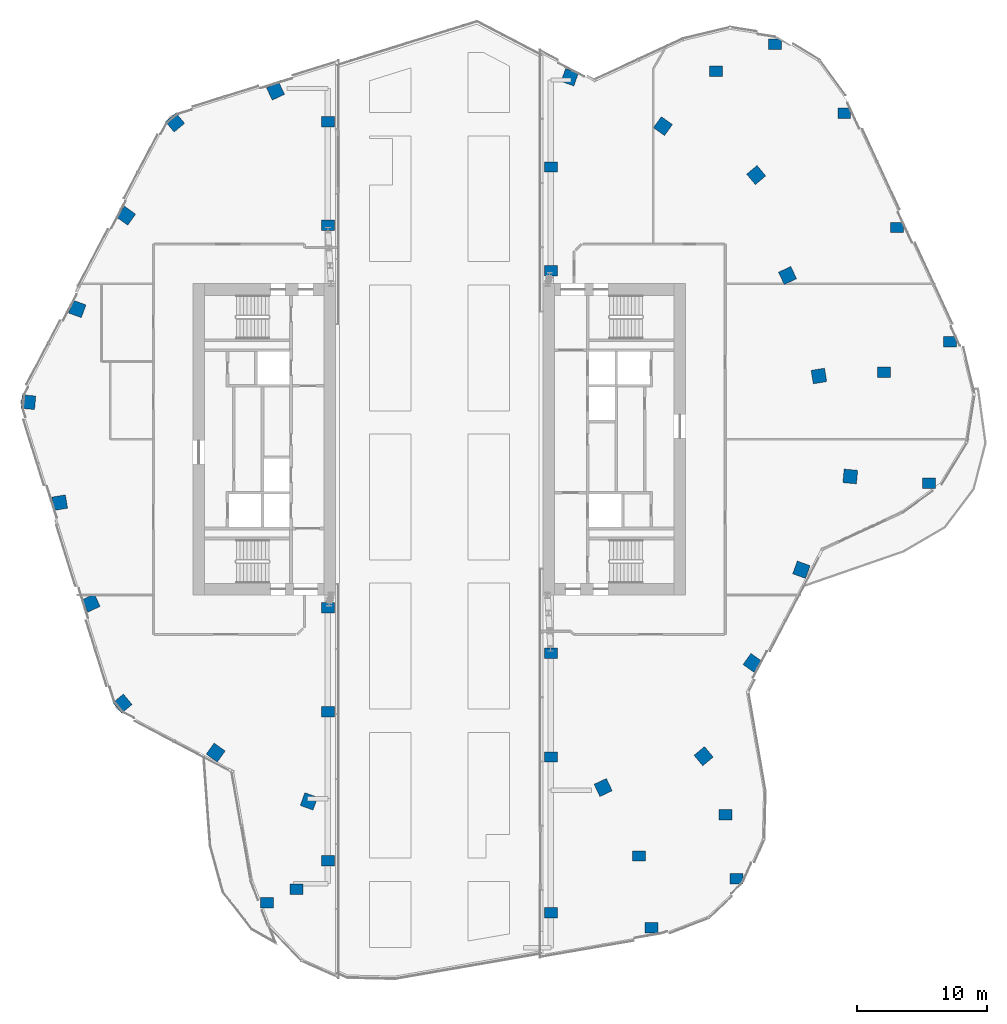
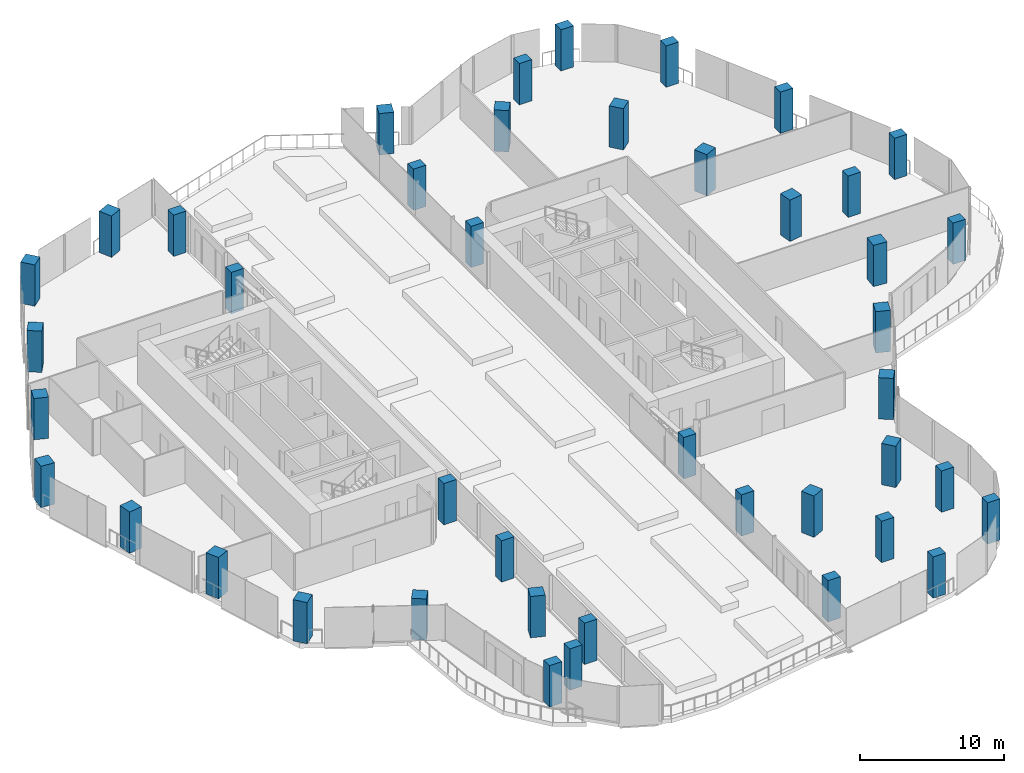
# One storey, part 1 of 26: 43 columns.
"""IFC4 building model written with IfcOpenShell, lengths in metres."""

from ifc_helpers import new_model, si_unit, direction, frame, origin, origin_2d, place, context, subcontext, project, spatial, rectangle, extrude, material, material_profile, profile_set, type_object, element, save


model = new_model("IFC4")

# Units and contexts
model_context = context("Model", 3, precision=1e-05, world=origin(), true_north=direction((0.0, 1.0)))
body_context = subcontext(model_context, "Body", "Model", "MODEL_VIEW")
ifc_project = project(units=[si_unit("LENGTHUNIT", "METRE"), si_unit("AREAUNIT", "SQUARE_METRE"), si_unit("VOLUMEUNIT", "CUBIC_METRE"), si_unit("PLANEANGLEUNIT", "RADIAN"), si_unit("MASSUNIT", "GRAM", prefix="KILO")], contexts=[model_context])

# Site, building, storey
site_placement = place(None, origin())
site = spatial("IfcSite", under=ifc_project, at=site_placement, CompositionType="ELEMENT")
building_placement = place(site_placement, origin())
building = spatial("IfcBuilding", under=site, at=building_placement, Name="Orlundy Tower", CompositionType="ELEMENT")
storey_placement = place(building_placement, frame((0.0, 0.0, 253.5)))
storey = spatial("IfcBuildingStorey", under=building, at=storey_placement, Name="L67", CompositionType="ELEMENT", Elevation=253.5)

# Columns
ifc_material_1 = material(Name="Concrete C60/75", Category="concrete")
ifc_material_profile_1 = material_profile(ifc_material_1, rectangle(XDim=1.0, YDim=0.800048828125, at=origin_2d()), Name="RC1000X800")
ifc_profile_set_1 = profile_set([ifc_material_profile_1], Name="Concrete C60/75")
column_type_1 = type_object("IfcColumnType", Name="RC COLUMN RC1000X800 C60/75", PredefinedType="COLUMN", material=ifc_profile_set_1)
for number, where, z_axis, x_axis, name in (
    (1, (37.758056640625, -3.389892578125, 0.0), (0.0, 0.0, 1.0), (1.0, 0.0, 0.0), "Column C-A1-1 L67"),
    (2, (39.376953125, 7.533935546875, 0.0), (0.0, 0.0, 1.0), (1.0, 0.0, 0.0), "Column C-A2-5 L67"),
    (3, (34.294921875, 5.181884765625, 0.0), (0.0, 0.0, 1.0), (1.0, 0.0, 0.0), "Column C-A2-6 L67"),
    (4, (35.302978515625, 16.3369140625, 0.0), (0.0, 0.0, 1.0), (1.0, 0.0, 0.0), "Column C-A3-5 L67"),
    (5, (31.22900390625, 25.139892578125, 0.0), (0.0, 0.0, 1.0), (1.0, 0.0, 0.0), "Column C-A4-5 L67"),
    (6, (25.885009765625, 30.48291015625, 0.0), (0.0, 0.0, 1.0), (1.0, 0.0, 0.0), "Column C-A5-5 L67"),
    (7, (21.346923828125, 28.383056640625, 0.0), (0.0, 0.0, 1.0), (1.0, 0.0, 0.0), "Column C-A5-6 L67"),
    (8, (-13.27392578125, -35.742919921875, 0.0), (0.0, 0.0, 1.0), (1.0, 0.0, 0.0), "Column C-B1-1 L67"),
    (9, (-11.031005859375, -34.68701171875, 0.0), (0.0, 0.0, 1.0), (1.0, 0.0, 0.0), "Column C-B1-6 L67"),
    (10, (16.3720703125, -37.656982421875, 0.0), (0.0, 0.0, 1.0), (1.0, 0.0, 0.0), "Column C-B4-5 L67"),
    (11, (15.4150390625, -32.138916015625, 0.0), (0.0, 0.0, 1.0), (1.0, 0.0, 0.0), "Column C-B4-6 L67"),
    (12, (22.916015625, -33.876953125, 0.0), (0.0, 0.0, 1.0), (1.0, 0.0, 0.0), "Column C-B5-5 L67"),
    (13, (22.06201171875, -28.950927734375, 0.0), (0.0, 0.0, 1.0), (1.0, 0.0, 0.0), "Column C-B5-6 L67"),
    (14, (8.60009765625, -36.5, 0.0), (0.0, 0.0, 1.0), (1.0, 0.0, 0.0), "Column C-SE1 L67"),
    (15, (8.60009765625, -24.5, 0.0), (0.0, 0.0, 1.0), (1.0, 0.0, 0.0), "Column C-SE2 L67"),
    (16, (8.60009765625, -16.5, 0.0), (0.0, 0.0, 1.0), (1.0, 0.0, 0.0), "Column C-SE3 L67"),
    (17, (8.60009765625, 13.0, 0.0), (0.0, 0.0, 1.0), (1.0, 0.0, 0.0), "Column C-SE4 L67"),
    (18, (8.60009765625, 21.0, 0.0), (0.0, 0.0, 1.0), (1.0, 0.0, 0.0), "Column C-SE5 L67"),
    (19, (-8.60009765625, 24.5, 0.0), (0.0, 0.0, 1.0), (1.0, 0.0, 0.0), "Column C-SW1 L67"),
    (20, (-8.60009765625, 16.5, 0.0), (0.0, 0.0, 1.0), (1.0, 0.0, 0.0), "Column C-SW2 L67"),
    (21, (-8.60009765625, -13.0, 0.0), (0.0, 0.0, 1.0), (1.0, 0.0, 0.0), "Column C-SW3 L67"),
    (22, (-8.60009765625, -21.0, 0.0), (0.0, 0.0, 1.0), (1.0, 0.0, 0.0), "Column C-SW4 L67"),
    (23, (-8.60009765625, -32.5, 0.0), (0.0, 0.0, 1.0), (1.0, 0.0, 0.0), "Column C-SW5 L67"),
):
    element("IfcColumn", number, at=place(storey_placement, frame(where, z_axis=z_axis, x_axis=x_axis)), inside=storey, type_object=column_type_1, Name=name, PredefinedType="COLUMN", context=body_context, shape_type="SweptSolid", body=[
        extrude(rectangle(XDim=1.0, YDim=0.800048828125, at=origin_2d()), origin(), (0.0, 0.0, 1.0), 3.5),
    ])
ifc_material_2 = material(Name="Concrete C60/75", Category="concrete")
ifc_material_profile_2 = material_profile(ifc_material_2, rectangle(XDim=1.050048828125, YDim=1.050048828125, at=origin_2d()), Name="RC1050X1050")
ifc_profile_set_2 = profile_set([ifc_material_profile_2], Name="Concrete C60/75")
column_type_2 = type_object("IfcColumnType", Name="RC COLUMN RC1050X1050 C60/75", PredefinedType="COLUMN", material=ifc_profile_set_2)
for number, where, z_axis, x_axis, name in (
    (24, (10.055908203125, 27.923095703125, 0.0), (0.0, 0.0, 1.0), (0.338836447191, 0.940845291243, 0.0), "Column C-H02 L67"),
    (25, (17.24609375, 24.154052734375, 0.0), (0.0, 0.0, 1.0), (0.581086534119, 0.813841778152, 0.0), "Column C-H03 L67"),
    (26, (24.43701171875, 20.384033203125, 0.0), (0.0, 0.0, 1.0), (0.767914719463, 0.640552092833, 0.0), "Column C-H04 L67"),
    (27, (26.85498046875, 12.634033203125, 0.0), (0.0, 0.0, 1.0), (0.904864205273, 0.425700328888, 0.0), "Column C-H05 L67"),
    (28, (29.27392578125, 4.884033203125, 0.0), (0.0, 0.0, 1.0), (0.986366141238, 0.1645655961, 0.0), "Column C-H06 L67"),
    (29, (31.693115234375, -2.865966796875, 0.0), (0.0, 0.0, 1.0), (0.99593643405, -0.09005897696, 0.0), "Column C-H07 L67"),
    (30, (27.923095703125, -10.055908203125, 0.0), (0.0, 0.0, 1.0), (0.940845291243, -0.338836447191, 0.0), "Column C-H08 L67"),
    (31, (24.154052734375, -17.24609375, 0.0), (0.0, 0.0, 1.0), (0.813841778152, -0.581086534119, 0.0), "Column C-H09 L67"),
    (32, (20.384033203125, -24.43701171875, 0.0), (0.0, 0.0, 1.0), (0.640552092833, -0.767914719463, 0.0), "Column C-H10 L67"),
    (33, (12.634033203125, -26.85498046875, 0.0), (0.0, 0.0, 1.0), (0.425700328888, -0.904864205273, 0.0), "Column C-H11 L67"),
    (34, (-10.055908203125, -27.923095703125, 0.0), (0.0, 0.0, 1.0), (-0.338836447191, -0.940845291243, 0.0), "Column C-H14 L67"),
    (35, (-17.24609375, -24.154052734375, 0.0), (0.0, 0.0, 1.0), (-0.581086534119, -0.813841778152, 0.0), "Column C-H15 L67"),
    (36, (-24.43701171875, -20.384033203125, 0.0), (0.0, 0.0, 1.0), (-0.767914719463, -0.640552092833, 0.0), "Column C-H16 L67"),
    (37, (-26.85498046875, -12.634033203125, 0.0), (0.0, 0.0, 1.0), (-0.904864205273, -0.425700328888, 0.0), "Column C-H17 L67"),
    (38, (-29.27392578125, -4.884033203125, 0.0), (0.0, 0.0, 1.0), (-0.986366141238, -0.1645655961, 0.0), "Column C-H18 L67"),
    (39, (-31.693115234375, 2.865966796875, 0.0), (0.0, 0.0, 1.0), (-0.99593643405, 0.09005897696, 0.0), "Column C-H19 L67"),
    (40, (-27.923095703125, 10.055908203125, 0.0), (0.0, 0.0, 1.0), (-0.940845291243, 0.338836447191, 0.0), "Column C-H20 L67"),
    (41, (-24.154052734375, 17.24609375, 0.0), (0.0, 0.0, 1.0), (-0.813841778152, 0.581086534119, 0.0), "Column C-H21 L67"),
    (42, (-20.384033203125, 24.43701171875, 0.0), (0.0, 0.0, 1.0), (-0.640552092833, 0.767914719463, 0.0), "Column C-H22 L67"),
    (43, (-12.634033203125, 26.85498046875, 0.0), (0.0, 0.0, 1.0), (-0.425700328888, 0.904864205273, 0.0), "Column C-H23 L67"),
):
    element("IfcColumn", number, at=place(storey_placement, frame(where, z_axis=z_axis, x_axis=x_axis)), inside=storey, type_object=column_type_2, Name=name, PredefinedType="COLUMN", context=body_context, shape_type="SweptSolid", body=[
        extrude(rectangle(XDim=1.050048828125, YDim=1.050048828125, at=origin_2d()), origin(), (0.0, 0.0, 1.0), 3.5),
    ])

save(model, "model.ifc")
